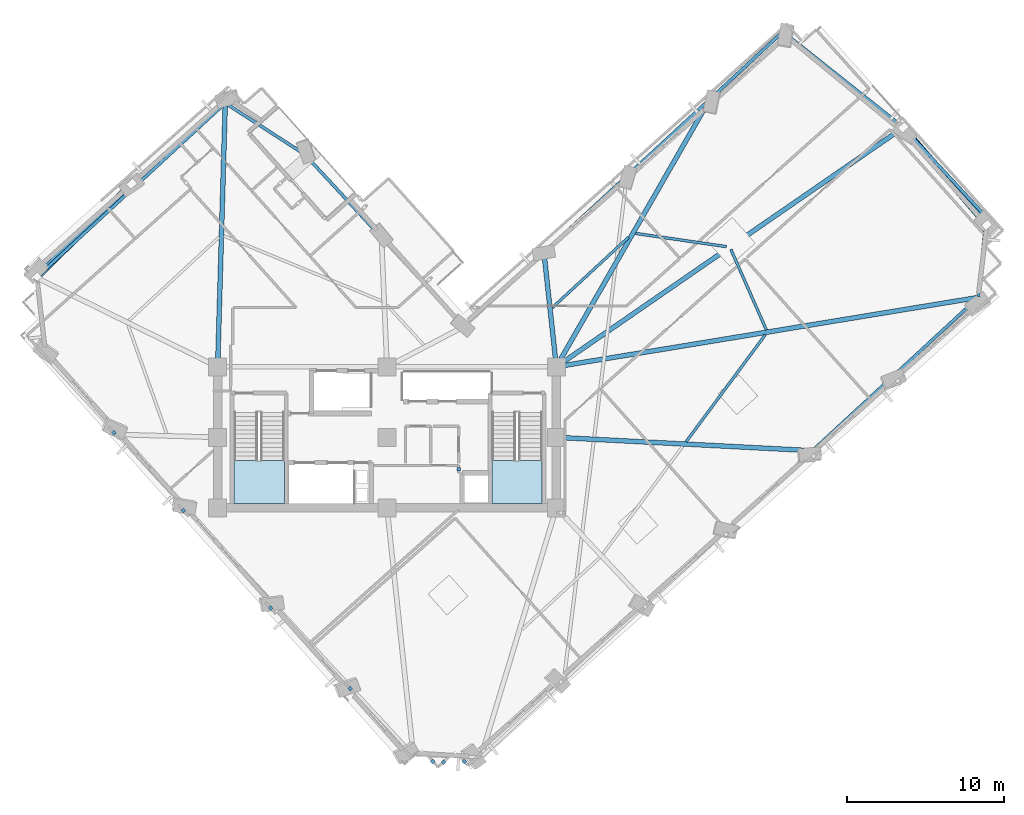
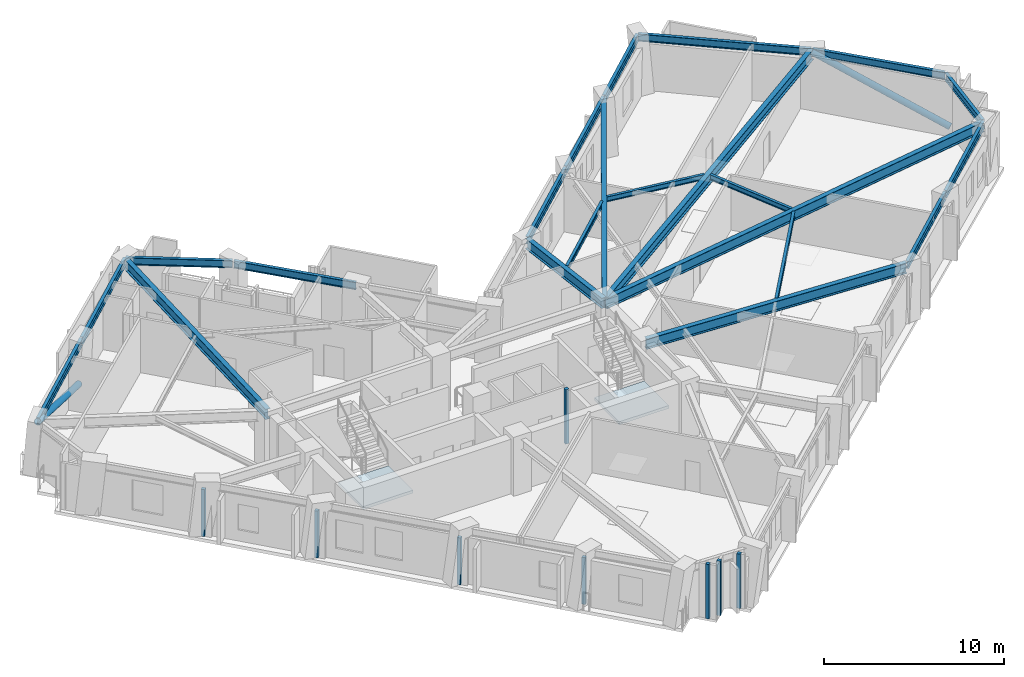
# One storey, part 2 of 14: 22 beams, 8 plates, 2 members, 2 slabs, 2 elements without a shape of their own.
"""IFC4 building model written with IfcOpenShell, lengths in metres."""

from ifc_helpers import new_model, si_unit, direction, frame, origin, origin_2d, place, context, subcontext, project, spatial, polyline, rectangle, hollow_circle, i_section, outline, extrude, material, layer, layer_set, material_profile, profile_set, type_object, element, aggregate, save


model = new_model("IFC4")

# Units and contexts
model_context = context("Model", 3, precision=1e-05, world=origin(), true_north=direction((0.0, 1.0)))
body_context = subcontext(model_context, "Body", "Model", "MODEL_VIEW")
ifc_project = project(units=[si_unit("LENGTHUNIT", "METRE"), si_unit("AREAUNIT", "SQUARE_METRE"), si_unit("VOLUMEUNIT", "CUBIC_METRE"), si_unit("PLANEANGLEUNIT", "RADIAN"), si_unit("MASSUNIT", "GRAM", prefix="KILO")], contexts=[model_context])

# Site, building, storey
site_placement = place(None, origin())
site = spatial("IfcSite", under=ifc_project, at=site_placement, CompositionType="ELEMENT")
building_placement = place(site_placement, origin())
building = spatial("IfcBuilding", under=site, at=building_placement, Name="Gaonmaruhae Medical Tower", CompositionType="ELEMENT")
storey_placement = place(building_placement, frame((0.0, 0.0, 201.800048828125)))
storey = spatial("IfcBuildingStorey", under=building, at=storey_placement, Name="L48", CompositionType="ELEMENT", Elevation=201.800048828125)

# Beams
ifc_material_1 = material(Name="Steel SM355", Category="steel")
ifc_material_profile_1 = material_profile(ifc_material_1, i_section(OverallWidth=0.175048828125, OverallDepth=0.35009765625, WebThickness=0.007080078125, FlangeThickness=0.010986328125, FilletRadius=0.012939453125, at=origin_2d()), Name="H-350x175x7x11")
ifc_profile_set_1 = profile_set([ifc_material_profile_1], Name="Steel SM355")
beam_type_1 = type_object("IfcBeamType", Name="FJ-02 Upper Zone Ward Floor Joist (H-350x175x7x11)", PredefinedType="JOIST", material=ifc_profile_set_1)
beam_1_placement = place(storey_placement, frame((43.8779296875, 12.0234375, 3.52490234375), z_axis=(0.59524201789, 0.803546476651, 0.0), x_axis=(-0.803546476651, 0.59524201789, 0.0)))
element("IfcBeam", 1, at=beam_1_placement, inside=storey, type_object=beam_type_1, Name="L48 Secondary Floor Joist FJ03", PredefinedType="JOIST", context=body_context, shape_type="SweptSolid", body=[
    extrude(i_section(OverallWidth=0.175048828125, OverallDepth=0.35009765625, WebThickness=0.007080078125, FlangeThickness=0.010986328125, FilletRadius=0.012939453125, at=origin_2d()), origin(), (0.0, 0.0, 1.0), 8.47509765625),
])
beam_2_placement = place(storey_placement, frame((48.989501953125, 19.15869140625, 3.52490234375), z_axis=(-0.403245330172, 0.915091909971, 0.0), x_axis=(-0.915091909971, -0.403245330172, 0.0)))
element("IfcBeam", 2, at=beam_2_placement, inside=storey, type_object=beam_type_1, Name="L48 Secondary Floor Joist FJ04", PredefinedType="JOIST", context=body_context, shape_type="SweptSolid", body=[
    extrude(i_section(OverallWidth=0.175048828125, OverallDepth=0.35009765625, WebThickness=0.007080078125, FlangeThickness=0.010986328125, FilletRadius=0.012939453125, at=origin_2d()), origin(), (0.0, 0.0, 1.0), 5.60205078125),
])
beam_3_placement = place(storey_placement, frame((46.4423828125, 24.462890625, 3.52490234375), z_axis=(-0.989606656813, 0.143800781607, 0.0), x_axis=(-0.143800781607, -0.989606656813, 0.0)))
element("IfcBeam", 3, at=beam_3_placement, inside=storey, type_object=beam_type_1, Name="L48 Secondary Floor Joist FJ05", PredefinedType="JOIST", context=body_context, shape_type="SweptSolid", body=[
    extrude(i_section(OverallWidth=0.175048828125, OverallDepth=0.35009765625, WebThickness=0.007080078125, FlangeThickness=0.010986328125, FilletRadius=0.012939453125, at=origin_2d()), origin(), (0.0, 0.0, 1.0), 5.845458984375),
])
beam_4_placement = place(storey_placement, frame((40.197998046875, 25.055419921875, 3.52490234375), z_axis=(-0.734314468278, -0.678809444305, 0.0), x_axis=(0.678809444305, -0.734314468278, 0.0)))
element("IfcBeam", 4, at=beam_4_placement, inside=storey, type_object=beam_type_1, Name="L48 Secondary Floor Joist FJ06", PredefinedType="JOIST", context=body_context, shape_type="SweptSolid", body=[
    extrude(i_section(OverallWidth=0.175048828125, OverallDepth=0.35009765625, WebThickness=0.007080078125, FlangeThickness=0.010986328125, FilletRadius=0.012939453125, at=origin_2d()), origin(), (0.0, 0.0, 1.0), 6.606689453125),
])

# Members
ifc_material_2 = material(Name="Steel SM420", Category="steel")
ifc_material_profile_2 = material_profile(ifc_material_2, hollow_circle(Radius=0.203125, WallThickness=0.0126953125, at=origin_2d()), Name="CHS-406.4x12.7")
ifc_profile_set_2 = profile_set([ifc_material_profile_2], Name="Steel SM420")
member_type = type_object("IfcMemberType", Name="PB-02 Perimeter Solid-Bay Tube Brace Mid (CHS-406.4x12.7)", PredefinedType="BRACE", material=ifc_profile_set_2)
member_1_placement = place(storey_placement, frame((63.049072265625, 25.8447265625, 0.25), z_axis=(-0.605274343649, 0.707737888735, 0.364348802343), x_axis=(-0.759976746997, -0.649950262731, 0.0)))
element("IfcMember", 5, at=member_1_placement, inside=storey, type_object=member_type, Name="L48 Perimeter Tube Solid-Bay Brace E01-E02", PredefinedType="BRACE", context=body_context, shape_type="SweptSolid", body=[
    extrude(hollow_circle(Radius=0.203125, WallThickness=0.0126953125, at=origin_2d()), origin(), (0.0, 0.0, 1.0), 8.78271484375),
])
member_2_placement = place(storey_placement, frame((8.52197265625, 28.46826171875, 0.25), z_axis=(-0.667315392574, -0.656729040509, 0.351279282319), x_axis=(0.701430713068, -0.712737647922, 0.0)))
element("IfcMember", 6, at=member_2_placement, inside=storey, type_object=member_type, Name="L48 Perimeter Tube Solid-Bay Brace N02-N03", PredefinedType="BRACE", context=body_context, shape_type="SweptSolid", body=[
    extrude(hollow_circle(Radius=0.203125, WallThickness=0.0126953125, at=origin_2d()), origin(), (0.0, 0.0, 1.0), 9.109375),
])

# Beams
ifc_material_profile_3 = material_profile(ifc_material_2, i_section(OverallWidth=0.300048828125, OverallDepth=0.699951171875, WebThickness=0.012939453125, FlangeThickness=0.02392578125, FilletRadius=0.01806640625, at=origin_2d()), Name="H-700x300x13x24")
ifc_profile_set_3 = profile_set([ifc_material_profile_3], Name="Steel SM420")
beam_type_2 = type_object("IfcBeamType", Name="PG-03 Zone 3 Radial Floor Girder (H-700x300x13x24)", PredefinedType="BEAM", material=ifc_profile_set_3)
beam_5_placement = place(storey_placement, frame((35.64990234375, 12.29736328125, 3.349853515625), z_axis=(0.998642814382, -0.052081947761, 0.0), x_axis=(0.052081947761, 0.998642814382, 0.0)))
element("IfcBeam", 7, at=beam_5_placement, inside=storey, type_object=beam_type_2, Name="L48 Radial Primary Girder S05", PredefinedType="BEAM", context=body_context, shape_type="SweptSolid", body=[
    extrude(i_section(OverallWidth=0.300048828125, OverallDepth=0.699951171875, WebThickness=0.012939453125, FlangeThickness=0.02392578125, FilletRadius=0.01806640625, at=origin_2d()), origin(), (0.0, 0.0, 1.0), 16.256591796875),
])
beam_6_placement = place(storey_placement, frame((35.6494140625, 16.80810546875, 3.349853515625), z_axis=(0.986760344934, 0.162185146255, 0.0), x_axis=(-0.162185146255, 0.986760344934, 0.0)))
element("IfcBeam", 8, at=beam_6_placement, inside=storey, type_object=beam_type_2, Name="L48 Radial Primary Girder S07", PredefinedType="BEAM", context=body_context, shape_type="SweptSolid", body=[
    extrude(i_section(OverallWidth=0.300048828125, OverallDepth=0.699951171875, WebThickness=0.012939453125, FlangeThickness=0.02392578125, FilletRadius=0.01806640625, at=origin_2d()), origin(), (0.0, 0.0, 1.0), 27.16943359375),
])
beam_7_placement = place(storey_placement, frame((35.64111328125, 16.828369140625, 3.349853515625), z_axis=(0.823275213083, 0.567642425761, 0.0), x_axis=(-0.567642425761, 0.823275213083, 0.0)))
element("IfcBeam", 9, at=beam_7_placement, inside=storey, type_object=beam_type_2, Name="L48 Radial Primary Girder E02", PredefinedType="BEAM", context=body_context, shape_type="SweptSolid", body=[
    extrude(i_section(OverallWidth=0.300048828125, OverallDepth=0.699951171875, WebThickness=0.012939453125, FlangeThickness=0.02392578125, FilletRadius=0.01806640625, at=origin_2d()), origin(), (0.0, 0.0, 1.0), 26.7841796875),
])
beam_8_placement = place(storey_placement, frame((35.625, 16.84326171875, 3.349853515625), z_axis=(0.497611274107, 0.867400149805, 0.0), x_axis=(-0.867400149805, 0.497611274107, 0.0)))
element("IfcBeam", 10, at=beam_8_placement, inside=storey, type_object=beam_type_2, Name="L48 Radial Primary Girder EN01", PredefinedType="BEAM", context=body_context, shape_type="SweptSolid", body=[
    extrude(i_section(OverallWidth=0.300048828125, OverallDepth=0.699951171875, WebThickness=0.012939453125, FlangeThickness=0.02392578125, FilletRadius=0.01806640625, at=origin_2d()), origin(), (0.0, 0.0, 1.0), 19.562255859375),
])
beam_9_placement = place(storey_placement, frame((35.5947265625, 16.849609375, 3.349853515625), z_axis=(-0.107889973386, 0.994162840606, 0.0), x_axis=(-0.994162840606, -0.107889973386, 0.0)))
element("IfcBeam", 11, at=beam_9_placement, inside=storey, type_object=beam_type_2, Name="L48 Radial Primary Girder EN03", PredefinedType="BEAM", context=body_context, shape_type="SweptSolid", body=[
    extrude(i_section(OverallWidth=0.300048828125, OverallDepth=0.699951171875, WebThickness=0.012939453125, FlangeThickness=0.02392578125, FilletRadius=0.01806640625, at=origin_2d()), origin(), (0.0, 0.0, 1.0), 7.22314453125),
])
beam_10_placement = place(storey_placement, frame((14.00146484375, 16.85009765625, 3.349853515625), z_axis=(0.028887731664, 0.999582662394, 0.0), x_axis=(-0.999582662394, 0.028887731664, 0.0)))
element("IfcBeam", 12, at=beam_10_placement, inside=storey, type_object=beam_type_2, Name="L48 Radial Primary Girder N01", PredefinedType="BEAM", context=body_context, shape_type="SweptSolid", body=[
    extrude(i_section(OverallWidth=0.300048828125, OverallDepth=0.699951171875, WebThickness=0.012939453125, FlangeThickness=0.02392578125, FilletRadius=0.01806640625, at=origin_2d()), origin(), (0.0, 0.0, 1.0), 16.725341796875),
])
ifc_material_profile_4 = material_profile(ifc_material_1, i_section(OverallWidth=0.199951171875, OverallDepth=0.5, WebThickness=0.010009765625, FlangeThickness=0.01611328125, FilletRadius=0.012939453125, at=origin_2d()), Name="H-500x200x10x16")
ifc_profile_set_4 = profile_set([ifc_material_profile_4], Name="Steel SM355")
beam_type_3 = type_object("IfcBeamType", Name="SP-02 Upper Perimeter Spandrel Beam (H-500x200x10x16)", PredefinedType="SPANDREL", material=ifc_profile_set_4)
for number, where, z_axis, x_axis, name in (
    (13, (51.963623046875, 11.47509765625, 3.449951171875), (0.73431818138, 0.678805427567, 0.0), (-0.678805427567, 0.73431818138, 0.0), "L48 Perimeter Spandrel Beam S05-S06"),
    (14, (57.250732421875, 16.362548828125, 3.449951171875), (0.734335272861, 0.678786937876, 0.0), (-0.678786937876, 0.734335272861, 0.0), "L48 Perimeter Spandrel Beam S06-S07"),
):
    element("IfcBeam", number, at=place(storey_placement, frame(where, z_axis=z_axis, x_axis=x_axis)), inside=storey, type_object=beam_type_3, Name=name, PredefinedType="SPANDREL", context=body_context, shape_type="SweptSolid", body=[
        extrude(i_section(OverallWidth=0.199951171875, OverallDepth=0.5, WebThickness=0.010009765625, FlangeThickness=0.01611328125, FilletRadius=0.012939453125, at=origin_2d()), origin(), (0.0, 0.0, 1.0), 7.1201171875),
    ])
beam_11_placement = place(storey_placement, frame((62.5126953125, 21.262451171875, 3.449951171875), z_axis=(0.101057273286, 0.994880609679, 0.0), x_axis=(-0.994880609679, 0.101057273286, 0.0)))
element("IfcBeam", 15, at=beam_11_placement, inside=storey, type_object=beam_type_3, Name="L48 Perimeter Spandrel Beam S07-E01", PredefinedType="SPANDREL", context=body_context, shape_type="SweptSolid", body=[
    extrude(i_section(OverallWidth=0.199951171875, OverallDepth=0.5, WebThickness=0.010009765625, FlangeThickness=0.01611328125, FilletRadius=0.012939453125, at=origin_2d()), origin(), (0.0, 0.0, 1.0), 5.056396484375),
])
beam_12_placement = place(storey_placement, frame((63.000732421875, 26.3623046875, 3.449951171875), z_axis=(-0.678811877156, 0.734312219313, 0.0), x_axis=(-0.734312219313, -0.678811877156, 0.0)))
element("IfcBeam", 16, at=beam_12_placement, inside=storey, type_object=beam_type_3, Name="L48 Perimeter Spandrel Beam E01-E02", PredefinedType="SPANDREL", context=body_context, shape_type="SweptSolid", body=[
    extrude(i_section(OverallWidth=0.199951171875, OverallDepth=0.5, WebThickness=0.010009765625, FlangeThickness=0.01611328125, FilletRadius=0.012939453125, at=origin_2d()), origin(), (0.0, 0.0, 1.0), 7.719970703125),
])
beam_13_placement = place(storey_placement, frame((57.701904296875, 32.08544921875, 3.449951171875), z_axis=(-0.783053730712, 0.621954061662, 0.0), x_axis=(-0.621954061662, -0.783053730712, 0.0)))
element("IfcBeam", 17, at=beam_13_placement, inside=storey, type_object=beam_type_3, Name="L48 Perimeter Spandrel Beam E02-E03", PredefinedType="SPANDREL", context=body_context, shape_type="SweptSolid", body=[
    extrude(i_section(OverallWidth=0.199951171875, OverallDepth=0.5, WebThickness=0.010009765625, FlangeThickness=0.01611328125, FilletRadius=0.012939453125, at=origin_2d()), origin(), (0.0, 0.0, 1.0), 9.7353515625),
])
beam_14_placement = place(storey_placement, frame((50.017822265625, 38.13818359375, 3.449951171875), z_axis=(-0.73430612564, -0.678818468994, 0.0), x_axis=(0.678818468994, -0.73430612564, 0.0)))
element("IfcBeam", 18, at=beam_14_placement, inside=storey, type_object=beam_type_3, Name="L48 Perimeter Spandrel Beam E03-EN01", PredefinedType="SPANDREL", context=body_context, shape_type="SweptSolid", body=[
    extrude(i_section(OverallWidth=0.199951171875, OverallDepth=0.5, WebThickness=0.010009765625, FlangeThickness=0.01611328125, FilletRadius=0.012939453125, at=origin_2d()), origin(), (0.0, 0.0, 1.0), 6.269775390625),
])
beam_15_placement = place(storey_placement, frame((45.35498046875, 33.827880859375, 3.449951171875), z_axis=(-0.734302381531, -0.67882251913, 0.0), x_axis=(0.67882251913, -0.734302381531, 0.0)))
element("IfcBeam", 19, at=beam_15_placement, inside=storey, type_object=beam_type_3, Name="L48 Perimeter Spandrel Beam EN01-EN02", PredefinedType="SPANDREL", context=body_context, shape_type="SweptSolid", body=[
    extrude(i_section(OverallWidth=0.199951171875, OverallDepth=0.5, WebThickness=0.010009765625, FlangeThickness=0.01611328125, FilletRadius=0.012939453125, at=origin_2d()), origin(), (0.0, 0.0, 1.0), 7.1201171875),
])
for number, where, z_axis, x_axis, name in (
    (20, (40.06787109375, 28.9404296875, 3.449951171875), (-0.734319473505, -0.678804029769, 0.0), (0.678804029769, -0.734319473505, 0.0), "L48 Perimeter Spandrel Beam EN02-EN03"),
    (21, (24.418701171875, 25.0830078125, 3.449951171875), (-0.678804029769, 0.734319473505, 0.0), (-0.734319473505, -0.678804029769, 0.0), "L48 Perimeter Spandrel Beam NE01-NE02"),
):
    element("IfcBeam", number, at=place(storey_placement, frame(where, z_axis=z_axis, x_axis=x_axis)), inside=storey, type_object=beam_type_3, Name=name, PredefinedType="SPANDREL", context=body_context, shape_type="SweptSolid", body=[
        extrude(i_section(OverallWidth=0.199951171875, OverallDepth=0.5, WebThickness=0.010009765625, FlangeThickness=0.01611328125, FilletRadius=0.012939453125, at=origin_2d()), origin(), (0.0, 0.0, 1.0), 7.119873046875),
    ])
beam_16_placement = place(storey_placement, frame((19.52490234375, 30.3623046875, 3.449951171875), z_axis=(-0.839925000167, 0.542702491328, 0.0), x_axis=(-0.542702491328, -0.839925000167, 0.0)))
element("IfcBeam", 22, at=beam_16_placement, inside=storey, type_object=beam_type_3, Name="L48 Perimeter Spandrel Beam NE02-N01", PredefinedType="SPANDREL", context=body_context, shape_type="SweptSolid", body=[
    extrude(i_section(OverallWidth=0.199951171875, OverallDepth=0.5, WebThickness=0.010009765625, FlangeThickness=0.01611328125, FilletRadius=0.012939453125, at=origin_2d()), origin(), (0.0, 0.0, 1.0), 5.959228515625),
])
for number, where, z_axis, x_axis, name in (
    (23, (14.45654296875, 33.591064453125, 3.449951171875), (-0.734313352045, -0.678810651808, 0.0), (0.678810651808, -0.734313352045, 0.0), "L48 Perimeter Spandrel Beam N01-N02"),
    (24, (8.435302734375, 28.02490234375, 3.449951171875), (-0.734327205731, -0.678795665074, 0.0), (0.678795665074, -0.734327205731, 0.0), "L48 Perimeter Spandrel Beam N02-N03"),
):
    element("IfcBeam", number, at=place(storey_placement, frame(where, z_axis=z_axis, x_axis=x_axis)), inside=storey, type_object=beam_type_3, Name=name, PredefinedType="SPANDREL", context=body_context, shape_type="SweptSolid", body=[
        extrude(i_section(OverallWidth=0.199951171875, OverallDepth=0.5, WebThickness=0.010009765625, FlangeThickness=0.01611328125, FilletRadius=0.012939453125, at=origin_2d()), origin(), (0.0, 0.0, 1.0), 8.1201171875),
    ])

# Plates
ifc_material_3 = material(Name="Anodised aluminium 6063-T6", Category="aluminium")
ifc_layer_1 = layer(ifc_material_3, 0.011962890625)
ifc_layer_set_1 = layer_set([ifc_layer_1], Name="Anodised aluminium 6063-T6")
plate_type = type_object("IfcPlateType", Name="PP-01 Interior Partition Corner Stiffener Plate", PredefinedType="SHEET", material=ifc_layer_set_1)
for number, where, z_axis, x_axis, name in (
    (25, (29.3798828125, 10.260009765625, 0.0), (0.0, 0.0, 1.0), (0.0, -1.0, 0.0), "L48 Partition Corner Stiffener Plate PLT-L48-JGP-PW002"),
    (26, (27.71240234375, -8.3740234375, 0.0), (0.0, 0.0, 1.0), (-0.667065750989, 0.744998848225, 0.0), "L48 Partition Corner Stiffener Plate PLT-L48-JGP-PW008"),
):
    element("IfcPlate", number, at=place(storey_placement, frame(where, z_axis=z_axis, x_axis=x_axis)), inside=storey, type_object=plate_type, Name=name, PredefinedType="SHEET", context=body_context, shape_type="SweptSolid", body=[
        extrude(rectangle(XDim=0.219970703125, YDim=0.219970703125, at=origin_2d()), origin(), (0.0, 0.0, 1.0), 3.699951171875),
    ])
plate_placement = place(storey_placement, frame((22.445556640625, -3.720947265625, 0.0), z_axis=(0.0, 0.0, 1.0), x_axis=(-0.666102996367, 0.745859771158, 0.0)))
element("IfcPlate", 27, at=plate_placement, inside=storey, type_object=plate_type, Name="L48 Partition Corner Stiffener Plate PLT-L48-JGP-PW010", PredefinedType="SHEET", context=body_context, shape_type="SweptSolid", body=[
    extrude(rectangle(XDim=0.219970703125, YDim=0.219970703125, at=origin_2d()), origin(), (0.0, 0.0, 1.0), 3.18505859375),
])
for number, where, z_axis, x_axis, name in (
    (28, (29.724609375, -8.373046875, 0.0), (0.0, 0.0, 1.0), (-0.666311253732, 0.745673731031, 0.0), "L48 Partition Corner Stiffener Plate PLT-L48-JGP-PW015"),
    (29, (28.409912109375, -8.4130859375, 0.0), (0.0, 0.0, 1.0), (-0.745510898219, -0.666493436304, 0.0), "L48 Partition Corner Stiffener Plate PLT-L48-JGP-PW016"),
):
    element("IfcPlate", number, at=place(storey_placement, frame(where, z_axis=z_axis, x_axis=x_axis)), inside=storey, type_object=plate_type, Name=name, PredefinedType="SHEET", context=body_context, shape_type="SweptSolid", body=[
        extrude(rectangle(XDim=0.219970703125, YDim=0.219970703125, at=origin_2d()), origin(), (0.0, 0.0, 1.0), 3.699951171875),
    ])
for number, where, z_axis, x_axis, name in (
    (30, (17.382568359375, 1.409912109375, 0.0), (0.0, 0.0, 1.0), (-0.665933749008, 0.746010885934, 0.0), "L48 Partition Corner Stiffener Plate PLT-L48-JGP-PW034"),
    (31, (11.8173828125, 7.634521484375, 0.0), (0.0, 0.0, 1.0), (-0.666675579082, 0.745348020897, 0.0), "L48 Partition Corner Stiffener Plate PLT-L48-JGP-PW035"),
    (32, (7.385498046875, 12.591552734375, 0.0), (0.0, 0.0, 1.0), (-0.666324268092, 0.745662101592, 0.0), "L48 Partition Corner Stiffener Plate PLT-L48-JGP-PW041"),
):
    element("IfcPlate", number, at=place(storey_placement, frame(where, z_axis=z_axis, x_axis=x_axis)), inside=storey, type_object=plate_type, Name=name, PredefinedType="SHEET", context=body_context, shape_type="SweptSolid", body=[
        extrude(rectangle(XDim=0.219970703125, YDim=0.219970703125, at=origin_2d()), origin(), (0.0, 0.0, 1.0), 3.18505859375),
    ])

# Stair, slab
ifc_material_4 = material(Name="Concrete C40/50", Category="concrete")
stair_type = type_object("IfcStairType", Name="ST-T1 Primary Core Escape Dogleg Stair", PredefinedType="TWO_QUARTER_TURN_STAIR", material=ifc_material_4)
stair_1_placement = place(storey_placement, origin())
stair_1 = element("IfcStair", 33, at=stair_1_placement, inside=storey, type_object=stair_type, Name="L48 Protected Escape Stair ST-01", PredefinedType="TWO_QUARTER_TURN_STAIR")
ifc_layer_2 = layer(ifc_material_4, 0.199951171875)
ifc_layer_set_2 = layer_set([ifc_layer_2], Name="Concrete C40/50")
slab_type = type_object("IfcSlabType", Name="SL-200 Stair & Ramp Intermediate Concrete Landing", PredefinedType="LANDING", material=ifc_layer_set_2)
slab_1_placement = place(storey_placement, frame((0.0, 0.0, 1.800048828125)))
slab_1 = element("IfcSlab", 34, at=slab_1_placement, type_object=slab_type, Name="ST-01 landing 1", PredefinedType="LANDING", context=body_context, shape_type="SweptSolid", body=[
    extrude(outline(polyline([(15.050048828125, 10.820068359375), (15.050048828125, 8.0791015625), (18.25, 8.0791015625), (18.25, 10.820068359375), (15.050048828125, 10.820068359375)])), origin(), (0.0, 0.0, 1.0), 0.199951171875),
])
aggregate(stair_1, [slab_1])

stair_2_placement = place(storey_placement, origin())
stair_2 = element("IfcStair", 35, at=stair_2_placement, inside=storey, type_object=stair_type, Name="L48 Protected Escape Stair ST-02", PredefinedType="TWO_QUARTER_TURN_STAIR")
slab_2_placement = place(storey_placement, frame((0.0, 0.0, 1.800048828125)))
slab_2 = element("IfcSlab", 36, at=slab_2_placement, type_object=slab_type, Name="ST-02 landing 1", PredefinedType="LANDING", context=body_context, shape_type="SweptSolid", body=[
    extrude(outline(polyline([(31.5, 10.820068359375), (31.5, 8.0791015625), (34.699951171875, 8.0791015625), (34.699951171875, 10.820068359375), (31.5, 10.820068359375)])), origin(), (0.0, 0.0, 1.0), 0.199951171875),
])
aggregate(stair_2, [slab_2])

save(model, "model.ifc")
